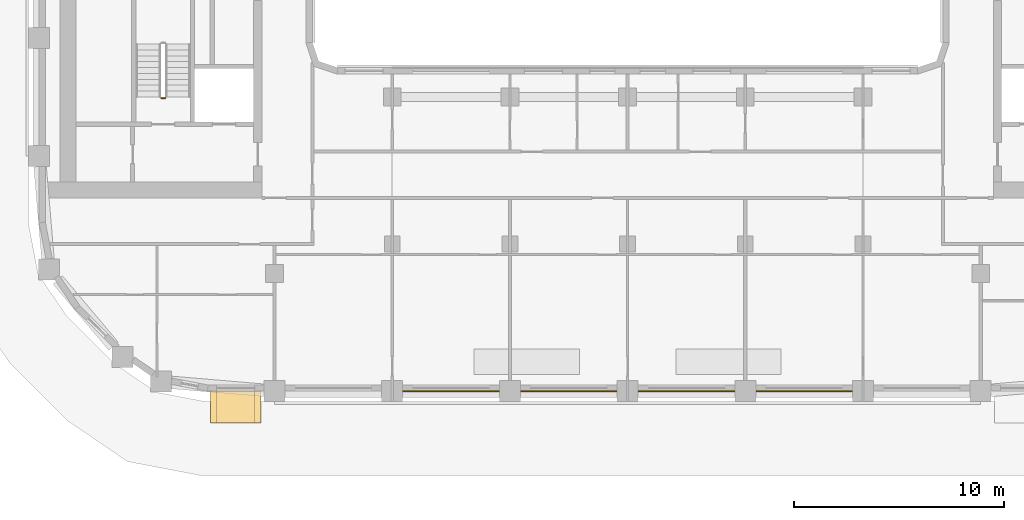
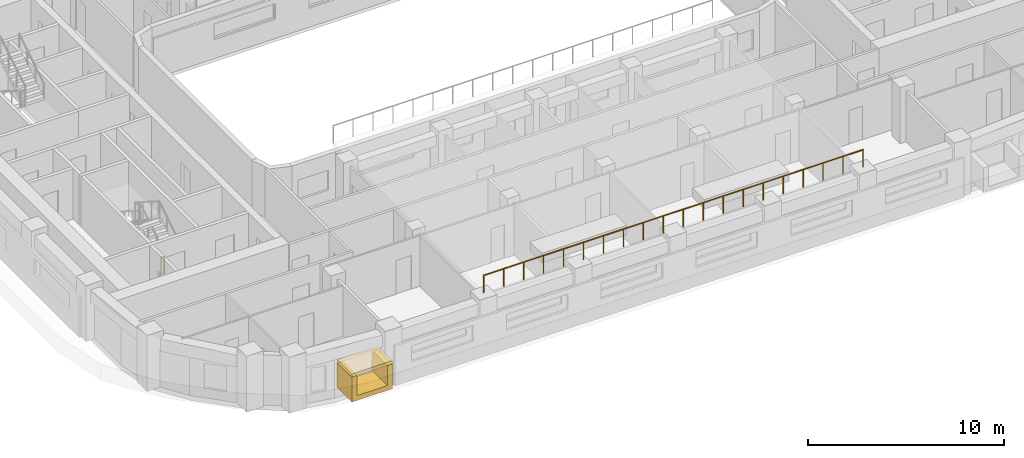
# One storey, part 11 of 17: 2 coverings, 2 railings.
"""IFC4 building model written with IfcOpenShell, lengths in metres."""

from ifc_helpers import new_model, si_unit, direction, frame, origin, origin_2d, place, context, subcontext, project, spatial, polyline, rectangle, circle, outline, extrude, material, layer, layer_set, type_object, element, save


model = new_model("IFC4")

# Units and contexts
model_context = context("Model", 3, precision=1e-05, world=origin(), true_north=direction((0.0, 1.0)))
body_context = subcontext(model_context, "Body", "Model", "MODEL_VIEW")
ifc_project = project(units=[si_unit("LENGTHUNIT", "METRE"), si_unit("AREAUNIT", "SQUARE_METRE"), si_unit("VOLUMEUNIT", "CUBIC_METRE"), si_unit("PLANEANGLEUNIT", "RADIAN"), si_unit("MASSUNIT", "GRAM", prefix="KILO")], contexts=[model_context])

# Site, building, storey
site_placement = place(None, origin())
site = spatial("IfcSite", under=ifc_project, at=site_placement, CompositionType="ELEMENT")
building_placement = place(site_placement, origin())
building = spatial("IfcBuilding", under=site, at=building_placement, Name="Kiln Ring Residences", CompositionType="ELEMENT")
storey_placement = place(building_placement, frame((0.0, 0.0, 174.60009765625)))
storey = spatial("IfcBuildingStorey", under=building, at=storey_placement, Name="L45", CompositionType="ELEMENT", Elevation=174.60009765625)

# Railing
ifc_material_1 = material(Name="Stainless steel", Category="steel")
railing_type_1 = type_object("IfcRailingType", Name="CORE-STAIR-GUARD", PredefinedType="GUARDRAIL", material=ifc_material_1)
railing_1_placement = place(storey_placement, frame((-22.0, -8.449951171875, 0.0)))
element("IfcRailing", 1, at=railing_1_placement, inside=storey, type_object=railing_type_1, Name="L45 W-STS stair guard 4", PredefinedType="GUARDRAIL", context=body_context, shape_type="SweptSolid", body=[
    extrude(circle(Radius=0.02392578125, at=origin_2d()), frame((0.0, 0.0, 1.076171875), z_axis=(-1.0, 0.0, 0.0), x_axis=(0.0, -1.0, 0.0)), (0.0, 0.0, 1.0), 0.199951171875),
    extrude(circle(Radius=0.02099609375, at=origin_2d()), origin(), (0.0, 0.0, 1.0), 1.052001953125),
    extrude(circle(Radius=0.02099609375, at=origin_2d()), frame((-0.199951171875, 0.0, 0.0)), (0.0, 0.0, 1.0), 1.052001953125),
])

# Coverings
ifc_material_2 = material(Name="Brick masonry, dark clay brick", Category="masonry")
ifc_layer_1 = layer(ifc_material_2, 0.300048828125)
ifc_layer_set_1 = layer_set([ifc_layer_1], Name="FRAME CHEEKS AND SILL 1500")
covering_type_1 = type_object("IfcCoveringType", Name="FRAME CHEEKS AND SILL 1500", PredefinedType="CLADDING", material=ifc_layer_set_1)
covering_1_placement = place(storey_placement, frame((-19.85009765625, -23.14990234375, 0.599853515625), z_axis=(0.0, 0.0, 1.0), x_axis=(1.0, 0.0, 0.0)))
element("IfcCovering", 2, at=covering_1_placement, inside=storey, type_object=covering_type_1, Name="FRAME L45", PredefinedType="CLADDING", context=body_context, shape_type="SweptSolid", body=[
    extrude(outline(polyline([(0.0, 0.0), (2.400146484375, 0.0), (2.39990234375, 1.550048828125), (2.10107421875, 1.550048828125), (2.10009765625, 0.300048828125), (0.300048828125, 0.300048828125), (0.299072265625, 1.550048828125), (0.0, 1.550048828125), (0.0, 0.0)])), frame((0.0, 0.75, 0.0), z_axis=(0.0, -1.0, 0.0), x_axis=(1.0, 0.0, 0.0)), (0.0, 0.0, 1.0), 1.5),
])
ifc_material_3 = material(Name="Brick masonry, dark clay brick", Category="masonry")
ifc_layer_2 = layer(ifc_material_3, 0.199951171875)
ifc_layer_set_2 = layer_set([ifc_layer_2], Name="FRAME HEAD 1500")
covering_type_2 = type_object("IfcCoveringType", Name="FRAME HEAD 1500", PredefinedType="CLADDING", material=ifc_layer_set_2)
covering_2_placement = place(storey_placement, frame((-18.64990234375, -23.14990234375, 2.14990234375), z_axis=(0.0, 0.0, 1.0), x_axis=(1.0, 0.0, 0.0)))
element("IfcCovering", 3, at=covering_2_placement, inside=storey, type_object=covering_type_2, Name="FRAME HEAD L45", PredefinedType="CLADDING", context=body_context, shape_type="SweptSolid", body=[
    extrude(rectangle(XDim=2.39990234375, YDim=1.5, at=origin_2d()), origin(), (0.0, 0.0, 1.0), 0.199951171875),
])

# Railing
ifc_material_4 = material(Name="Black powder-coated steel", Category="steel")
railing_type_2 = type_object("IfcRailingType", Name="ROOF GUARD 1100", PredefinedType="GUARDRAIL", material=ifc_material_4)
railing_2_placement = place(storey_placement, frame((-11.199951171875, -22.39990234375, 3.5)))
element("IfcRailing", 4, at=railing_2_placement, inside=storey, type_object=railing_type_2, Name="GUARD L45 sky portal terrace", PredefinedType="GUARDRAIL", context=body_context, shape_type="SweptSolid", body=[
    extrude(circle(Radius=0.02392578125, at=origin_2d()), frame((0.0, 0.0, 1.076171875), z_axis=(1.0, 0.0, 0.0), x_axis=(0.0, 1.0, 0.0)), (0.0, 0.0, 1.0), 22.39990234375),
    extrude(circle(Radius=0.02099609375, at=origin_2d()), origin(), (0.0, 0.0, 1.0), 1.052001953125),
    extrude(circle(Radius=0.02099609375, at=origin_2d()), frame((1.178955078125, 0.0, 0.0)), (0.0, 0.0, 1.0), 1.052001953125),
    extrude(circle(Radius=0.02099609375, at=origin_2d()), frame((2.35791015625, 0.0, 0.0)), (0.0, 0.0, 1.0), 1.052001953125),
    extrude(circle(Radius=0.02099609375, at=origin_2d()), frame((3.536865234375, 0.0, 0.0)), (0.0, 0.0, 1.0), 1.052001953125),
    extrude(circle(Radius=0.02099609375, at=origin_2d()), frame((4.7158203125, 0.0, 0.0)), (0.0, 0.0, 1.0), 1.052001953125),
    extrude(circle(Radius=0.02099609375, at=origin_2d()), frame((5.894775390625, 0.0, 0.0)), (0.0, 0.0, 1.0), 1.052001953125),
    extrude(circle(Radius=0.02099609375, at=origin_2d()), frame((7.07373046875, 0.0, 0.0)), (0.0, 0.0, 1.0), 1.052001953125),
    extrude(circle(Radius=0.02099609375, at=origin_2d()), frame((8.252685546875, 0.0, 0.0)), (0.0, 0.0, 1.0), 1.052001953125),
    extrude(circle(Radius=0.02099609375, at=origin_2d()), frame((9.431640625, 0.0, 0.0)), (0.0, 0.0, 1.0), 1.052001953125),
    extrude(circle(Radius=0.02099609375, at=origin_2d()), frame((10.610595703125, 0.0, 0.0)), (0.0, 0.0, 1.0), 1.052001953125),
    extrude(circle(Radius=0.02099609375, at=origin_2d()), frame((11.789306640625, 0.0, 0.0)), (0.0, 0.0, 1.0), 1.052001953125),
    extrude(circle(Radius=0.02099609375, at=origin_2d()), frame((12.96826171875, 0.0, 0.0)), (0.0, 0.0, 1.0), 1.052001953125),
    extrude(circle(Radius=0.02099609375, at=origin_2d()), frame((14.147216796875, 0.0, 0.0)), (0.0, 0.0, 1.0), 1.052001953125),
    extrude(circle(Radius=0.02099609375, at=origin_2d()), frame((15.326171875, 0.0, 0.0)), (0.0, 0.0, 1.0), 1.052001953125),
    extrude(circle(Radius=0.02099609375, at=origin_2d()), frame((16.505126953125, 0.0, 0.0)), (0.0, 0.0, 1.0), 1.052001953125),
    extrude(circle(Radius=0.02099609375, at=origin_2d()), frame((17.68408203125, 0.0, 0.0)), (0.0, 0.0, 1.0), 1.052001953125),
    extrude(circle(Radius=0.02099609375, at=origin_2d()), frame((18.863037109375, 0.0, 0.0)), (0.0, 0.0, 1.0), 1.052001953125),
    extrude(circle(Radius=0.02099609375, at=origin_2d()), frame((20.0419921875, 0.0, 0.0)), (0.0, 0.0, 1.0), 1.052001953125),
    extrude(circle(Radius=0.02099609375, at=origin_2d()), frame((21.220947265625, 0.0, 0.0)), (0.0, 0.0, 1.0), 1.052001953125),
    extrude(circle(Radius=0.02099609375, at=origin_2d()), frame((22.39990234375, 0.0, 0.0)), (0.0, 0.0, 1.0), 1.052001953125),
])

save(model, "model.ifc")
